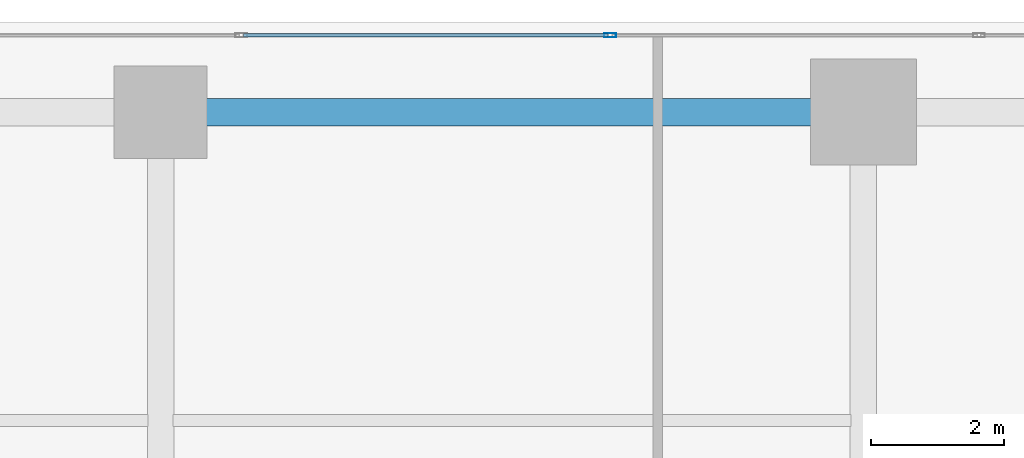
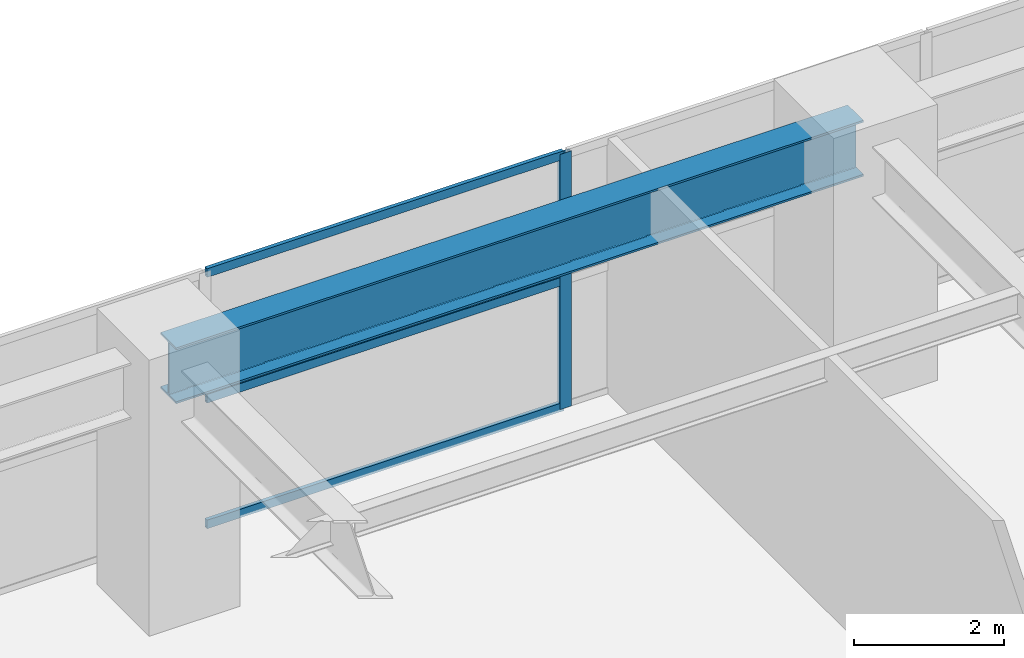
# One storey, part 6 of 26: 4 members, 1 beam, 1 element without a shape of its own.
"""IFC4 building model written with IfcOpenShell, lengths in metres."""

from ifc_helpers import new_model, si_unit, direction, frame, origin, origin_2d, place, context, subcontext, project, spatial, hollow_rectangle, i_section, extrude, source, transform, mapped, material, layer, layer_set, material_profile, profile_set, type_object, element, aggregate, save


model = new_model("IFC4")

# Units and contexts
model_context = context("Model", 3, precision=1e-05, world=origin(), true_north=direction((0.0, 1.0)))
body_context = subcontext(model_context, "Body", "Model", "MODEL_VIEW")
ifc_project = project(units=[si_unit("LENGTHUNIT", "METRE"), si_unit("AREAUNIT", "SQUARE_METRE"), si_unit("VOLUMEUNIT", "CUBIC_METRE"), si_unit("PLANEANGLEUNIT", "RADIAN"), si_unit("MASSUNIT", "GRAM", prefix="KILO")], contexts=[model_context])

# Site, building, storey
site_placement = place(None, origin())
site = spatial("IfcSite", under=ifc_project, at=site_placement, CompositionType="ELEMENT")
building_placement = place(site_placement, origin())
building = spatial("IfcBuilding", under=site, at=building_placement, Name="Khoralis Quay Care Tower", CompositionType="ELEMENT")
storey_placement = place(building_placement, frame((0.0, 0.0, 4.5)))
storey = spatial("IfcBuildingStorey", under=building, at=storey_placement, Name="L01", CompositionType="ELEMENT", Elevation=4.5)

# Beam
ifc_material_1 = material(Name="Steel S355", Category="steel")
ifc_material_profile_1 = material_profile(ifc_material_1, i_section(OverallWidth=0.41796875, OverallDepth=0.912109375, WebThickness=0.019287109375, FlangeThickness=0.031982421875, FilletRadius=0.02392578125, at=origin_2d()), Name="Steel S355")
ifc_profile_set_1 = profile_set([ifc_material_profile_1], Name="Steel S355")
beam_type = type_object("IfcBeamType", Name="BM-W920X342", PredefinedType="BEAM", material=ifc_profile_set_1)
shared_shape_1 = source(origin(), body_context, "Body", "SweptSolid", [
    extrude(i_section(OverallWidth=0.41796875, OverallDepth=0.912109375, WebThickness=0.019287109375, FlangeThickness=0.031982421875, FilletRadius=0.02392578125, at=origin_2d()), origin(), (0.0, 0.0, 1.0), 10.60009765625),
])
beam_placement = place(storey_placement, frame((24.0, 46.64990234375, 3.7041015625), z_axis=(1.0, 0.0, 0.0), x_axis=(0.0, 1.0, 0.0)))
element("IfcBeam", 1, at=beam_placement, inside=storey, type_object=beam_type, Name="BM-PODX-L01-21", PredefinedType="BEAM", context=body_context, shape_type="MappedRepresentation", body=[
    mapped(shared_shape_1, transform((0.0, 0.0, 0.0), scale=1.0)),
])

# Curtain wall, members
ifc_material_2 = material(Name="Pale anodised aluminium", Category="aluminium")
ifc_layer = layer(ifc_material_2, 0.179931640625)
ifc_layer_set = layer_set([ifc_layer], Name="Pale anodised aluminium")
curtain_wall_type = type_object("IfcCurtainWallType", Name="CW-SYS-Z1", PredefinedType="NOTDEFINED", material=ifc_layer_set)
curtain_wall_placement = place(storey_placement, origin())
curtain_wall = element("IfcCurtainWall", 2, at=curtain_wall_placement, inside=storey, type_object=curtain_wall_type, Name="L01 Unitised Curtain Wall CW-POD-L01-E4", PredefinedType="NOTDEFINED")
ifc_material_profile_2 = material_profile(ifc_material_2, hollow_rectangle(XDim=0.06494140625, YDim=0.179931640625, WallThickness=0.00390625, at=origin_2d()), Name="Pale anodised aluminium")
ifc_profile_set_2 = profile_set([ifc_material_profile_2], Name="Pale anodised aluminium")
member_type_1 = type_object("IfcMemberType", Name="CW-MUL-180", PredefinedType="MULLION", material=ifc_profile_set_2)
shared_shape_2 = source(origin(), body_context, "Body", "SweptSolid", [
    extrude(hollow_rectangle(XDim=0.06494140625, YDim=0.179931640625, WallThickness=0.00390625, at=origin_2d()), origin(), (0.0, 0.0, 1.0), 4.159912109375),
])
member_1_placement = place(storey_placement, frame((30.781005859375, 47.81005859375, 0.0), z_axis=(0.0, 0.0, 1.0), x_axis=(0.0, -1.0, 0.0)))
member_1 = element("IfcMember", 3, at=member_1_placement, type_object=member_type_1, Name="CW1 mullion 3", PredefinedType="MULLION", context=body_context, shape_type="MappedRepresentation", body=[
    mapped(shared_shape_2, transform((0.0, 0.0, 0.0), scale=1.0)),
])
ifc_material_profile_3 = material_profile(ifc_material_2, hollow_rectangle(XDim=0.06005859375, YDim=0.139892578125, WallThickness=0.00390625, at=origin_2d()), Name="Pale anodised aluminium")
ifc_profile_set_3 = profile_set([ifc_material_profile_3], Name="Pale anodised aluminium")
member_type_2 = type_object("IfcMemberType", Name="CW-TRN-140", PredefinedType="USERDEFINED", material=ifc_profile_set_3)
shared_shape_3 = source(origin(), body_context, "Body", "SweptSolid", [
    extrude(hollow_rectangle(XDim=0.06005859375, YDim=0.139892578125, WallThickness=0.00390625, at=origin_2d()), origin(), (0.0, 0.0, 1.0), 5.501953125),
])
member_2_placement = place(storey_placement, frame((30.7509765625, 47.81005859375, 0.030029296875), z_axis=(-1.0, 0.0, 0.0), x_axis=(0.0, -1.0, 0.0)))
member_2 = element("IfcMember", 4, at=member_2_placement, type_object=member_type_2, Name="CW1 transom 3.1", ObjectType="TRANSOM", PredefinedType="USERDEFINED", context=body_context, shape_type="MappedRepresentation", body=[
    mapped(shared_shape_3, transform((0.0, 0.0, 0.0), scale=1.0)),
])
member_3_placement = place(storey_placement, frame((30.7509765625, 47.81005859375, 2.080078125), z_axis=(-1.0, 0.0, 0.0), x_axis=(0.0, -1.0, 0.0)))
member_3 = element("IfcMember", 5, at=member_3_placement, type_object=member_type_2, Name="CW1 transom 3.2", ObjectType="TRANSOM", PredefinedType="USERDEFINED", context=body_context, shape_type="MappedRepresentation", body=[
    mapped(shared_shape_3, transform((0.0, 0.0, 0.0), scale=1.0)),
])
member_4_placement = place(storey_placement, frame((30.7509765625, 47.81005859375, 4.1298828125), z_axis=(-1.0, 0.0, 0.0), x_axis=(0.0, -1.0, 0.0)))
member_4 = element("IfcMember", 6, at=member_4_placement, type_object=member_type_2, Name="CW1 transom 3.3", ObjectType="TRANSOM", PredefinedType="USERDEFINED", context=body_context, shape_type="MappedRepresentation", body=[
    mapped(shared_shape_3, transform((0.0, 0.0, 0.0), scale=1.0)),
])
aggregate(curtain_wall, [member_1, member_2, member_3, member_4])

save(model, "model.ifc")
